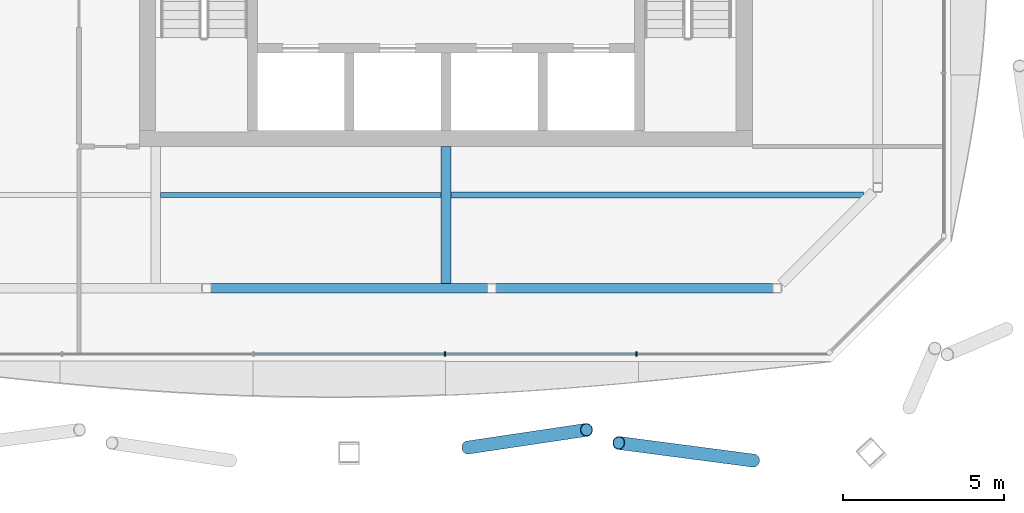
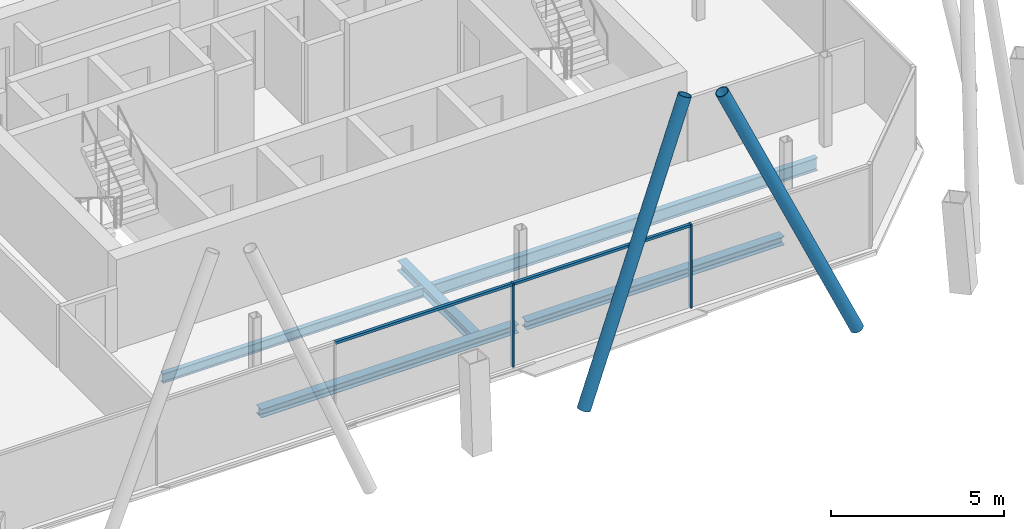
# One storey, part 5 of 17: 6 members, 5 beams, 1 element without a shape of its own.
"""IFC4 building model written with IfcOpenShell, lengths in metres."""

from ifc_helpers import new_model, si_unit, direction, frame, origin, origin_2d, place, context, subcontext, project, spatial, rectangle, hollow_circle, i_section, extrude, material, material_profile, profile_set, type_object, element, aggregate, save


model = new_model("IFC4")

# Units and contexts
model_context = context("Model", 3, precision=1e-05, world=origin(), true_north=direction((0.0, 1.0)))
body_context = subcontext(model_context, "Body", "Model", "MODEL_VIEW")
ifc_project = project(units=[si_unit("LENGTHUNIT", "METRE"), si_unit("AREAUNIT", "SQUARE_METRE"), si_unit("VOLUMEUNIT", "CUBIC_METRE"), si_unit("PLANEANGLEUNIT", "RADIAN"), si_unit("MASSUNIT", "GRAM", prefix="KILO")], contexts=[model_context])

# Site, building, storey
site_placement = place(None, origin())
site = spatial("IfcSite", under=ifc_project, at=site_placement, CompositionType="ELEMENT")
building_placement = place(site_placement, origin())
building = spatial("IfcBuilding", under=site, at=building_placement, Name="Tskaro Facet Tower", CompositionType="ELEMENT")
storey_placement = place(building_placement, frame((0.0, 0.0, 226.64990234375)))
storey = spatial("IfcBuildingStorey", under=building, at=storey_placement, Name="L58", CompositionType="ELEMENT", Elevation=226.64990234375)

# Members
ifc_material_1 = material(Name="Steel S355J2H", Category="steel")
ifc_material_profile_1 = material_profile(ifc_material_1, hollow_circle(Radius=0.203125, WallThickness=0.02001953125, at=origin_2d()), Name="CHS 406.4x20")
ifc_profile_set_1 = profile_set([ifc_material_profile_1], Name="Steel S355J2H")
member_type_1 = type_object("IfcMemberType", Name="CHS 406.4x20 brace", PredefinedType="BRACE", material=ifc_profile_set_1)
member_1_placement = place(storey_placement, frame((0.6796875, -21.333740234375, 0.0), z_axis=(0.362333811008, 0.053942617389, 0.930486111358), x_axis=(-0.147252569799, 0.989098923611, 0.0)))
element("IfcMember", 1, at=member_1_placement, inside=storey, type_object=member_type_1, Name="CHS 406.4x20 XB02A/5", PredefinedType="BRACE", context=body_context, shape_type="SweptSolid", body=[
    extrude(hollow_circle(Radius=0.203125, WallThickness=0.02001953125, at=origin_2d()), origin(), (0.0, 0.0, 1.0), 10.15625),
])
member_2_placement = place(storey_placement, frame((9.5400390625, -21.740234375, 0.0), z_axis=(-0.403941230559, 0.052967003248, 0.913250227934), x_axis=(-0.130012570292, -0.991512345645, 0.0)))
element("IfcMember", 2, at=member_2_placement, inside=storey, type_object=member_type_1, Name="CHS 406.4x20 XB02B/5", PredefinedType="BRACE", context=body_context, shape_type="SweptSolid", body=[
    extrude(hollow_circle(Radius=0.203125, WallThickness=0.02001953125, at=origin_2d()), origin(), (0.0, 0.0, 1.0), 10.347900390625),
])

# Curtain wall, members
ifc_material_2 = material(Name="Bronze anodised aluminium 6063-T6", Category="aluminium")
curtain_wall_type = type_object("IfcCurtainWallType", Name="Bronze residence curtain wall (FW3)", PredefinedType="NOTDEFINED", material=ifc_material_2)
curtain_wall_placement = place(storey_placement, origin())
curtain_wall = element("IfcCurtainWall", 3, at=curtain_wall_placement, inside=storey, type_object=curtain_wall_type, Name="FW3 south facet L58", PredefinedType="NOTDEFINED")
ifc_material_profile_2 = material_profile(ifc_material_2, rectangle(XDim=0.050048828125, YDim=0.139892578125, at=origin_2d()), Name="Mullion 50x140")
ifc_profile_set_2 = profile_set([ifc_material_profile_2], Name="Bronze anodised aluminium 6063-T6")
member_type_2 = type_object("IfcMemberType", Name="FW3 bronze mullion 50x140", PredefinedType="MULLION", material=ifc_profile_set_2)
member_3_placement = place(storey_placement, frame((-0.03125, -18.43701171875, 0.0), z_axis=(0.0, 0.0, 1.0), x_axis=(1.0, 0.0, 0.0)))
member_3 = element("IfcMember", 4, at=member_3_placement, type_object=member_type_2, Name="FW3 south mullion 3", PredefinedType="MULLION", context=body_context, shape_type="SweptSolid", body=[
    extrude(rectangle(XDim=0.050048828125, YDim=0.139892578125, at=origin_2d()), origin(), (0.0, 0.0, 1.0), 2.9501953125),
])
member_4_placement = place(storey_placement, frame((5.906494140625, -18.43701171875, 0.0), z_axis=(0.0, 0.0, 1.0), x_axis=(1.0, 0.0, 0.0)))
member_4 = element("IfcMember", 5, at=member_4_placement, type_object=member_type_2, Name="FW3 south mullion 4", PredefinedType="MULLION", context=body_context, shape_type="SweptSolid", body=[
    extrude(rectangle(XDim=0.050048828125, YDim=0.139892578125, at=origin_2d()), origin(), (0.0, 0.0, 1.0), 2.9501953125),
])
ifc_material_profile_3 = material_profile(ifc_material_2, rectangle(XDim=0.10009765625, YDim=0.090087890625, at=origin_2d()), Name="Transom 100x90")
ifc_profile_set_3 = profile_set([ifc_material_profile_3], Name="Bronze anodised aluminium 6063-T6")
member_type_3 = type_object("IfcMemberType", Name="FW3 bronze transom 100x90", PredefinedType="USERDEFINED", material=ifc_profile_set_3)
member_5_placement = place(storey_placement, frame((-5.94384765625, -18.43701171875, 2.905029296875), z_axis=(1.0, 0.0, 0.0), x_axis=(0.0, 1.0, 0.0)))
member_5 = element("IfcMember", 6, at=member_5_placement, type_object=member_type_3, Name="FW3 south transom 3.1", ObjectType="TRANSOM", PredefinedType="USERDEFINED", context=body_context, shape_type="SweptSolid", body=[
    extrude(rectangle(XDim=0.10009765625, YDim=0.090087890625, at=origin_2d()), origin(), (0.0, 0.0, 1.0), 5.8876953125),
])
member_6_placement = place(storey_placement, frame((-0.006103515625, -18.43701171875, 2.905029296875), z_axis=(1.0, 0.0, 0.0), x_axis=(0.0, 1.0, 0.0)))
member_6 = element("IfcMember", 7, at=member_6_placement, type_object=member_type_3, Name="FW3 south transom 4.1", ObjectType="TRANSOM", PredefinedType="USERDEFINED", context=body_context, shape_type="SweptSolid", body=[
    extrude(rectangle(XDim=0.10009765625, YDim=0.090087890625, at=origin_2d()), origin(), (0.0, 0.0, 1.0), 5.887451171875),
])
aggregate(curtain_wall, [member_3, member_4, member_5, member_6])

# Beams
ifc_material_3 = material(Name="Steel S355J2", Category="steel")
ifc_material_profile_4 = material_profile(ifc_material_3, i_section(OverallWidth=0.300048828125, OverallDepth=0.300048828125, WebThickness=0.010986328125, FlangeThickness=0.01904296875, FilletRadius=0.027099609375, at=origin_2d()), Name="HE 300 B")
ifc_profile_set_4 = profile_set([ifc_material_profile_4], Name="Steel S355J2")
beam_type_1 = type_object("IfcBeamType", Name="HE 300 B ring beam", PredefinedType="BEAM", material=ifc_profile_set_4)
beam_1_placement = place(storey_placement, frame((-7.29296875, -16.39111328125, -0.289794921875), z_axis=(1.0, 0.0, 0.0), x_axis=(0.0, 1.0, 0.0)))
element("IfcBeam", 8, at=beam_1_placement, inside=storey, type_object=beam_type_1, Name="HE 300 B EB2-5", PredefinedType="BEAM", context=body_context, shape_type="SweptSolid", body=[
    extrude(i_section(OverallWidth=0.300048828125, OverallDepth=0.300048828125, WebThickness=0.010986328125, FlangeThickness=0.01904296875, FilletRadius=0.027099609375, at=origin_2d()), origin(), (0.0, 0.0, 1.0), 8.5859375),
])
beam_2_placement = place(storey_placement, frame((1.552978515625, -16.39111328125, -0.289794921875), z_axis=(1.0, 0.0, 0.0), x_axis=(0.0, 1.0, 0.0)))
element("IfcBeam", 9, at=beam_2_placement, inside=storey, type_object=beam_type_1, Name="HE 300 B EB3-5", PredefinedType="BEAM", context=body_context, shape_type="SweptSolid", body=[
    extrude(i_section(OverallWidth=0.300048828125, OverallDepth=0.300048828125, WebThickness=0.010986328125, FlangeThickness=0.01904296875, FilletRadius=0.027099609375, at=origin_2d()), origin(), (0.0, 0.0, 1.0), 8.5849609375),
])
ifc_material_profile_5 = material_profile(ifc_material_3, i_section(OverallWidth=0.300048828125, OverallDepth=0.35009765625, WebThickness=0.010009765625, FlangeThickness=0.017578125, FilletRadius=0.027099609375, at=origin_2d()), Name="HE 360 A")
ifc_profile_set_5 = profile_set([ifc_material_profile_5], Name="Steel S355J2")
beam_type_2 = type_object("IfcBeamType", Name="HE 360 A girder", PredefinedType="BEAM", material=ifc_profile_set_5)
beam_3_placement = place(storey_placement, frame((0.0, -16.240966796875, -0.31494140625), z_axis=(0.0, 1.0, 0.0), x_axis=(-1.0, 0.0, 0.0)))
element("IfcBeam", 10, at=beam_3_placement, inside=storey, type_object=beam_type_2, Name="HE 360 A GB4-1-5", PredefinedType="BEAM", context=body_context, shape_type="SweptSolid", body=[
    extrude(i_section(OverallWidth=0.300048828125, OverallDepth=0.35009765625, WebThickness=0.010009765625, FlangeThickness=0.017578125, FilletRadius=0.027099609375, at=origin_2d()), origin(), (0.0, 0.0, 1.0), 4.240966796875),
])
ifc_material_profile_6 = material_profile(ifc_material_3, i_section(OverallWidth=0.159912109375, OverallDepth=0.330078125, WebThickness=0.007568359375, FlangeThickness=0.011474609375, FilletRadius=0.01806640625, at=origin_2d()), Name="IPE 330")
ifc_profile_set_6 = profile_set([ifc_material_profile_6], Name="Steel S355J2")
beam_type_3 = type_object("IfcBeamType", Name="IPE 330 secondary beam", PredefinedType="BEAM", material=ifc_profile_set_6)
beam_4_placement = place(storey_placement, frame((-8.85009765625, -13.5, -0.304931640625), z_axis=(1.0, 0.0, 0.0), x_axis=(0.0, 1.0, 0.0)))
element("IfcBeam", 11, at=beam_4_placement, inside=storey, type_object=beam_type_3, Name="IPE 330 SB2a-2-5", PredefinedType="BEAM", context=body_context, shape_type="SweptSolid", body=[
    extrude(i_section(OverallWidth=0.159912109375, OverallDepth=0.330078125, WebThickness=0.007568359375, FlangeThickness=0.011474609375, FilletRadius=0.01806640625, at=origin_2d()), origin(), (0.0, 0.0, 1.0), 8.7001953125),
])
ifc_material_profile_7 = material_profile(ifc_material_3, i_section(OverallWidth=0.18994140625, OverallDepth=0.449951171875, WebThickness=0.009521484375, FlangeThickness=0.0146484375, FilletRadius=0.02099609375, at=origin_2d()), Name="IPE 450")
ifc_profile_set_7 = profile_set([ifc_material_profile_7], Name="Steel S355J2")
beam_type_4 = type_object("IfcBeamType", Name="IPE 450 long secondary beam", PredefinedType="BEAM", material=ifc_profile_set_7)
beam_5_placement = place(storey_placement, frame((0.14990234375, -13.5, -0.364990234375), z_axis=(1.0, 0.0, 0.0), x_axis=(0.0, 1.0, 0.0)))
element("IfcBeam", 12, at=beam_5_placement, inside=storey, type_object=beam_type_4, Name="IPE 450 LSB2a-3-5", PredefinedType="BEAM", context=body_context, shape_type="SweptSolid", body=[
    extrude(i_section(OverallWidth=0.18994140625, OverallDepth=0.449951171875, WebThickness=0.009521484375, FlangeThickness=0.0146484375, FilletRadius=0.02099609375, at=origin_2d()), origin(), (0.0, 0.0, 1.0), 12.797119140625),
])

save(model, "model.ifc")
